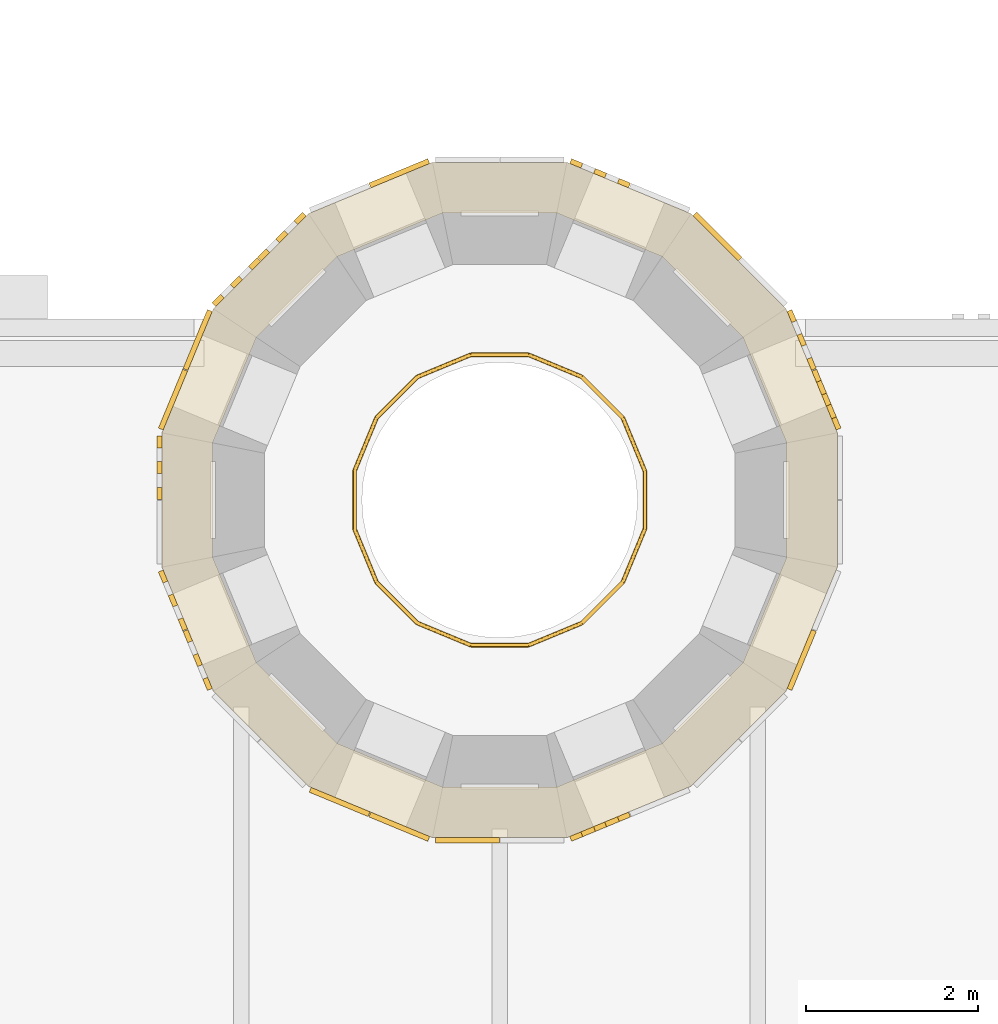
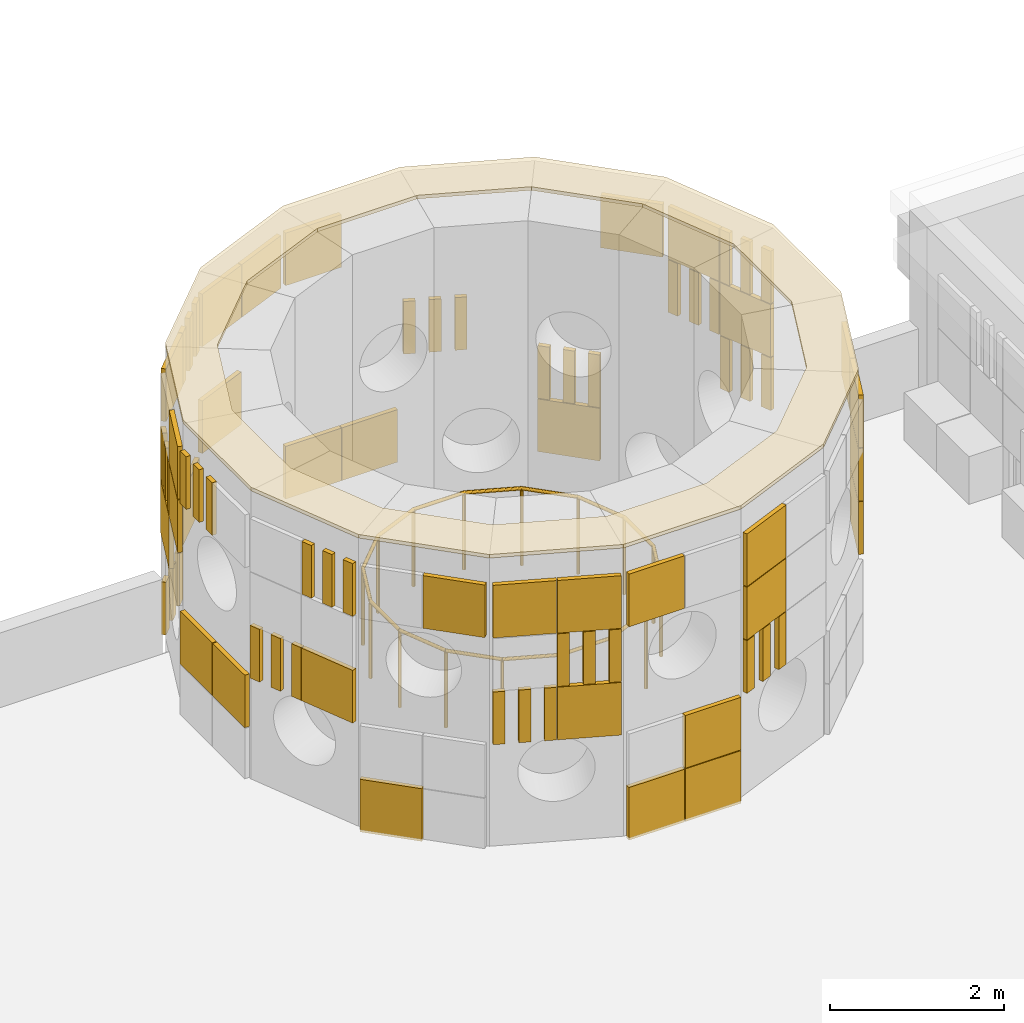
# One storey, part 70 of 98: 4 coverings, 1 railing.
"""IFC4 building model written with IfcOpenShell, lengths in metres."""

import ifcopenshell
import ifcopenshell.guid

model = None  # the IFC model being written
_history = None  # IfcOwnerHistory: only IFC2X3 demands one
_inside = {}  # id of a spatial element -> (the spatial element, [elements in it])
_under = {}  # id of a project, library or spatial element -> (it, [spatial elements below it])
_declared = {}  # id of a project -> (the project, [libraries it declares])
_typed = {}  # id of a type object -> (the type object, [elements of that type])
_made_of = {}  # id of a material, layer set ... -> (it, [elements and type objects made of it])


def new_model(schema):
    """Start an empty IFC model of exactly this schema.

    Asked for "IFC4X3", IfcOpenShell would pick the latest addendum, in which some entities
    have other attributes; the version numbers below select the first issue.
    IFC2X3 requires an IfcOwnerHistory on every rooted entity: one is made here for all.
    """
    global model, _history
    if schema == "IFC4X3":
        model = ifcopenshell.file(schema_version=(4, 3, 0, 0))
    else:
        model = ifcopenshell.file(schema=schema)
    _inside.clear()
    _under.clear()
    _declared.clear()
    _typed.clear()
    _made_of.clear()
    _history = None
    if model.schema == "IFC2X3":
        org = make("IfcOrganization", Name="unknown")
        user = make(
            "IfcPersonAndOrganization",
            ThePerson=make("IfcPerson", FamilyName="unknown"),
            TheOrganization=org,
        )
        app = make(
            "IfcApplication",
            ApplicationDeveloper=org,
            Version="unknown",
            ApplicationFullName="unknown",
            ApplicationIdentifier="unknown",
        )
        _history = make(
            "IfcOwnerHistory",
            OwningUser=user,
            OwningApplication=app,
            ChangeAction="ADDED",
            CreationDate=0,
        )
    return model


def make(cls, **values):
    """One entity of the class cls with the attributes given. An attribute that is None is left unset."""
    return model.create_entity(
        cls, **{name: value for name, value in values.items() if value is not None}
    )


def rooted(cls, **values):
    """An entity with a GlobalId (a new one), such as an element, a storey or a relation."""
    return make(cls, GlobalId=ifcopenshell.guid.new(), OwnerHistory=_history, **values)


def si_unit(unit_type, name, prefix=None):
    """IfcSIUnit, for example si_unit("LENGTHUNIT", "METRE", prefix="MILLI")."""
    return make("IfcSIUnit", UnitType=unit_type, Prefix=prefix, Name=name)


def assignment(units):
    """IfcUnitAssignment: the units of a project."""
    return None if units is None else make("IfcUnitAssignment", Units=units)


def point(xyz):
    """IfcCartesianPoint."""
    return None if xyz is None else make("IfcCartesianPoint", Coordinates=xyz)


def direction(xyz):
    """IfcDirection."""
    return None if xyz is None else make("IfcDirection", DirectionRatios=xyz)


def frame(location, z_axis=None, x_axis=None):
    """IfcAxis2Placement3D, a coordinate frame: its origin and axes. An axis left out is left unset."""
    return make(
        "IfcAxis2Placement3D",
        Location=point(location),
        Axis=direction(z_axis),
        RefDirection=direction(x_axis),
    )


def frame_2d(location, x_axis=None):
    """IfcAxis2Placement2D, a coordinate frame in the plane: its origin and x axis."""
    return make(
        "IfcAxis2Placement2D", Location=point(location), RefDirection=direction(x_axis)
    )


def origin():
    """The frame at (0, 0, 0) with its axes left unset."""
    return frame((0.0, 0.0, 0.0))


def origin_2d():
    """The frame at (0, 0) in the plane with its x axis left unset."""
    return frame_2d((0.0, 0.0))


def place(relative_to, where):
    """IfcLocalPlacement: puts the frame where relative to a parent placement (None: the world)."""
    return make(
        "IfcLocalPlacement", PlacementRelTo=relative_to, RelativePlacement=where
    )


def context(
    kind, dimensions, precision=None, world=None, true_north=None, identifier=None
):
    """IfcGeometricRepresentationContext, for example the 3D "Model" context."""
    return make(
        "IfcGeometricRepresentationContext",
        ContextIdentifier=identifier,
        ContextType=kind,
        CoordinateSpaceDimension=dimensions,
        Precision=precision,
        WorldCoordinateSystem=world,
        TrueNorth=true_north,
    )


def subcontext(parent, identifier, kind, view, scale=None):
    """IfcGeometricRepresentationSubContext, for example "Body" below "Model"."""
    return make(
        "IfcGeometricRepresentationSubContext",
        ContextIdentifier=identifier,
        ContextType=kind,
        ParentContext=parent,
        TargetScale=scale,
        TargetView=view,
    )


def project(units=None, contexts=None):
    """IfcProject with its units and contexts."""
    return rooted(
        "IfcProject",
        Name="project",
        RepresentationContexts=contexts,
        UnitsInContext=assignment(units),
    )


def spatial(cls, under=None, at=None, **own):
    """A site, building, storey or space (cls), placed at a placement, below another one or the project."""
    s = rooted(cls, ObjectPlacement=at, **own)
    if under is not None:
        _under.setdefault(under.id(), (under, []))[1].append(s)
    return s


def polyline(points):
    """IfcPolyline through the points."""
    return make("IfcPolyline", Points=[point(p) for p in points])


def profile(cls, at=None, kind="AREA", **sizes):
    """A parametric profile (cls). Its sizes go by their IFC names, for example OverallWidth=200.0."""
    return make(cls, ProfileType=kind, Position=at, **sizes)


def rectangle(**sizes):
    """IfcRectangleProfileDef."""
    return profile("IfcRectangleProfileDef", **sizes)


def circle(**sizes):
    """IfcCircleProfileDef."""
    return profile("IfcCircleProfileDef", **sizes)


def outline(outer, holes=None, kind="AREA"):
    """IfcArbitraryClosedProfileDef: a profile drawn as a closed curve; with holes, ...WithVoids."""
    if holes is None:
        return make("IfcArbitraryClosedProfileDef", ProfileType=kind, OuterCurve=outer)
    return make(
        "IfcArbitraryProfileDefWithVoids",
        ProfileType=kind,
        OuterCurve=outer,
        InnerCurves=holes,
    )


def extrude(swept, where, along, depth):
    """IfcExtrudedAreaSolid: the profile swept, set in the frame where, extruded along a direction by depth."""
    return make(
        "IfcExtrudedAreaSolid",
        SweptArea=swept,
        Position=where,
        ExtrudedDirection=direction(along),
        Depth=depth,
    )


def shape(context_of_items, identifier, shape_type, items):
    """IfcShapeRepresentation: the items that make up one representation, for example the "Body"."""
    return make(
        "IfcShapeRepresentation",
        ContextOfItems=context_of_items,
        RepresentationIdentifier=identifier,
        RepresentationType=shape_type,
        Items=items,
    )


def material(Name=None, Category=None):
    """IfcMaterial."""
    return make("IfcMaterial", Name=Name, Category=Category)


def layer(
    of_material, thickness, ventilated=None, Name=None, Category=None, Priority=None
):
    """IfcMaterialLayer: one layer of a wall or slab, of a material (None: an air gap)."""
    return make(
        "IfcMaterialLayer",
        Material=of_material,
        LayerThickness=thickness,
        IsVentilated=ventilated,
        Name=Name,
        Category=Category,
        Priority=Priority,
    )


def layer_set(layers, Name=None):
    """IfcMaterialLayerSet."""
    return make("IfcMaterialLayerSet", MaterialLayers=layers, LayerSetName=Name)


def made_of(thing, what):
    """Note that an element or type object is made of a material, layer set ...; save() writes the relation."""
    if what is not None:
        _made_of.setdefault(what.id(), (what, []))[1].append(thing)
    return thing


def type_object(cls, material=None, **own):
    """A type object (cls), such as IfcWallType, which elements share."""
    return made_of(rooted(cls, **own), material)


def element(
    cls,
    number,
    at=None,
    inside=None,
    cuts=None,
    type_object=None,
    material=None,
    context=None,
    identifier="Body",
    shape_type=None,
    held_by="IfcProductDefinitionShape",
    body=None,
    shapes=None,
    **own,
):
    """One element of the class cls, such as IfcWall. Its Tag is "e" and its number.

    at: its placement. inside: the storey or other place that contains it. cuts: it is an
    opening in that element (IfcRelVoidsElement). A single representation is given by context,
    identifier, shape_type and body (its items); several are given by shapes. held_by: the class
    of the entity that holds the representations. save() writes the other relations.
    """
    e = rooted(cls, Tag="e%d" % number, ObjectPlacement=at, **own)
    if body is not None:
        shapes = [shape(context, identifier, shape_type, body)]
    if shapes is not None:
        e.Representation = make(held_by, Representations=shapes)
    if inside is not None:
        _inside.setdefault(inside.id(), (inside, []))[1].append(e)
    if cuts is not None:
        rooted(
            "IfcRelVoidsElement", RelatingBuildingElement=cuts, RelatedOpeningElement=e
        )
    if type_object is not None:
        _typed.setdefault(type_object.id(), (type_object, []))[1].append(e)
    return made_of(e, material)


def aggregate(whole, parts):
    """IfcRelAggregates: a whole, such as a stair, and the parts it consists of."""
    return rooted("IfcRelAggregates", RelatingObject=whole, RelatedObjects=parts)


def save(model, path):
    """Write the relations noted so far, then the file.

    IfcRelAggregates (storeys below a building ...), IfcRelContainedInSpatialStructure (elements
    in a storey), IfcRelDefinesByType, IfcRelAssociatesMaterial and IfcRelDeclares: one each for
    every whole, place, type object, material and project.
    """
    for whole, parts in _under.values():
        aggregate(whole, parts)
    for where, things in _inside.values():
        rooted(
            "IfcRelContainedInSpatialStructure",
            RelatedElements=things,
            RelatingStructure=where,
        )
    for kind, things in _typed.values():
        rooted("IfcRelDefinesByType", RelatedObjects=things, RelatingType=kind)
    for what, things in _made_of.values():
        rooted("IfcRelAssociatesMaterial", RelatedObjects=things, RelatingMaterial=what)
    for by, libraries in _declared.values():
        rooted("IfcRelDeclares", RelatingContext=by, RelatedDefinitions=libraries)
    model.write(path)


model = new_model("IFC4")

# Units and contexts
model_context = context("Model", 3, precision=1e-05, world=origin(), true_north=direction((0.0, 1.0)))
body_context = subcontext(model_context, "Body", "Model", "MODEL_VIEW")
ifc_project = project(units=[si_unit("LENGTHUNIT", "METRE"), si_unit("AREAUNIT", "SQUARE_METRE"), si_unit("VOLUMEUNIT", "CUBIC_METRE"), si_unit("PLANEANGLEUNIT", "RADIAN"), si_unit("MASSUNIT", "GRAM", prefix="KILO")], contexts=[model_context])

# Site, building, storey
site_placement = place(None, origin())
site = spatial("IfcSite", under=ifc_project, at=site_placement, CompositionType="ELEMENT")
building_placement = place(site_placement, origin())
building = spatial("IfcBuilding", under=site, at=building_placement, Name="Sun Court Science Centre", CompositionType="ELEMENT")
storey_placement = place(building_placement, frame((0.0, 0.0, 15.75)))
storey = spatial("IfcBuildingStorey", under=building, at=storey_placement, Name="L03", CompositionType="ELEMENT", Elevation=15.75)

# Railing
ifc_material_1 = material(Name="Steel S275", Category="steel")
railing_type = type_object("IfcRailingType", Name="Guard 1100 well balustrade", PredefinedType="GUARDRAIL", material=ifc_material_1)
railing_placement = place(storey_placement, frame((19.68701171875, 26.235595703125, 0.110107421875)))
element("IfcRailing", 1, at=railing_placement, inside=storey, type_object=railing_type, Name="C2 well guard L03", PredefinedType="GUARDRAIL", context=body_context, shape_type="SweptSolid", body=[
    extrude(circle(Radius=0.02392578125, at=origin_2d()), frame((0.0, 0.0, 1.076171875), z_axis=(-0.382780256271, 0.923839420792, 0.0), x_axis=(-0.923839420792, -0.382780256271, 0.0)), (0.0, 0.0, 1.0), 0.6708984375),
    extrude(circle(Radius=0.02392578125, at=origin_2d()), frame((-0.2568359375, 0.619873046875, 1.076171875), z_axis=(-0.707106781187, 0.707106781187, 0.0), x_axis=(-0.707106781187, -0.707106781187, 0.0)), (0.0, 0.0, 1.0), 0.671142578125),
    extrude(circle(Radius=0.02392578125, at=origin_2d()), frame((-0.7314453125, 1.094482421875, 1.076171875), z_axis=(-0.923892706888, 0.382651625058, 0.0), x_axis=(-0.382651625058, -0.923892706888, 0.0)), (0.0, 0.0, 1.0), 0.671142578125),
    extrude(circle(Radius=0.02392578125, at=origin_2d()), frame((-1.3515625, 1.351318359375, 1.076171875), z_axis=(-1.0, 0.0, 0.0), x_axis=(0.0, -1.0, 0.0)), (0.0, 0.0, 1.0), 0.6708984375),
    extrude(circle(Radius=0.02392578125, at=origin_2d()), frame((-2.0224609375, 1.351318359375, 1.076171875), z_axis=(-0.923892706888, -0.382651625058, 0.0), x_axis=(0.382651625058, -0.923892706888, 0.0)), (0.0, 0.0, 1.0), 0.671142578125),
    extrude(circle(Radius=0.02392578125, at=origin_2d()), frame((-2.642578125, 1.094482421875, 1.076171875), z_axis=(-0.707106781187, -0.707106781187, 0.0), x_axis=(0.707106781187, -0.707106781187, 0.0)), (0.0, 0.0, 1.0), 0.671142578125),
    extrude(circle(Radius=0.02392578125, at=origin_2d()), frame((-3.1171875, 0.619873046875, 1.076171875), z_axis=(-0.382780256271, -0.923839420792, 0.0), x_axis=(0.923839420792, -0.382780256271, 0.0)), (0.0, 0.0, 1.0), 0.6708984375),
    extrude(circle(Radius=0.02392578125, at=origin_2d()), frame((-3.3740234375, 0.0, 1.076171875), z_axis=(0.0, -1.0, 0.0), x_axis=(1.0, 0.0, 0.0)), (0.0, 0.0, 1.0), 0.671142578125),
    extrude(circle(Radius=0.02392578125, at=origin_2d()), frame((-3.3740234375, -0.671142578125, 1.076171875), z_axis=(0.382651625058, -0.923892706888, 0.0), x_axis=(0.923892706888, 0.382651625058, 0.0)), (0.0, 0.0, 1.0), 0.671142578125),
    extrude(circle(Radius=0.02392578125, at=origin_2d()), frame((-3.1171875, -1.291259765625, 1.076171875), z_axis=(0.707288673597, -0.706924841975, 0.0), x_axis=(0.706924841975, 0.707288673597, 0.0)), (0.0, 0.0, 1.0), 0.671142578125),
    extrude(circle(Radius=0.02392578125, at=origin_2d()), frame((-2.642578125, -1.765625, 1.076171875), z_axis=(0.923892706888, -0.382651625058, 0.0), x_axis=(0.382651625058, 0.923892706888, 0.0)), (0.0, 0.0, 1.0), 0.671142578125),
    extrude(circle(Radius=0.02392578125, at=origin_2d()), frame((-2.0224609375, -2.0224609375, 1.076171875), z_axis=(1.0, 0.0, 0.0), x_axis=(0.0, 1.0, 0.0)), (0.0, 0.0, 1.0), 0.6708984375),
    extrude(circle(Radius=0.02392578125, at=origin_2d()), frame((-1.3515625, -2.0224609375, 1.076171875), z_axis=(0.923892706888, 0.382651625058, 0.0), x_axis=(-0.382651625058, 0.923892706888, 0.0)), (0.0, 0.0, 1.0), 0.671142578125),
    extrude(circle(Radius=0.02392578125, at=origin_2d()), frame((-0.7314453125, -1.765625, 1.076171875), z_axis=(0.707288673597, 0.706924841975, 0.0), x_axis=(-0.706924841975, 0.707288673597, 0.0)), (0.0, 0.0, 1.0), 0.671142578125),
    extrude(circle(Radius=0.02392578125, at=origin_2d()), frame((-0.2568359375, -1.291259765625, 1.076171875), z_axis=(0.382651625058, 0.923892706888, 0.0), x_axis=(-0.923892706888, 0.382651625058, 0.0)), (0.0, 0.0, 1.0), 0.671142578125),
    extrude(circle(Radius=0.02392578125, at=origin_2d()), frame((0.0, -0.671142578125, 1.076171875), z_axis=(0.0, 1.0, 0.0), x_axis=(-1.0, 0.0, 0.0)), (0.0, 0.0, 1.0), 0.671142578125),
    extrude(circle(Radius=0.02099609375, at=origin_2d()), origin(), (0.0, 0.0, 1.0), 1.052001953125),
    extrude(circle(Radius=0.02099609375, at=origin_2d()), frame((-0.2568359375, 0.619873046875, 0.0)), (0.0, 0.0, 1.0), 1.052001953125),
    extrude(circle(Radius=0.02099609375, at=origin_2d()), frame((-0.7314453125, 1.094482421875, 0.0)), (0.0, 0.0, 1.0), 1.052001953125),
    extrude(circle(Radius=0.02099609375, at=origin_2d()), frame((-1.3515625, 1.351318359375, 0.0)), (0.0, 0.0, 1.0), 1.052001953125),
    extrude(circle(Radius=0.02099609375, at=origin_2d()), frame((-2.0224609375, 1.351318359375, 0.0)), (0.0, 0.0, 1.0), 1.052001953125),
    extrude(circle(Radius=0.02099609375, at=origin_2d()), frame((-2.642578125, 1.094482421875, 0.0)), (0.0, 0.0, 1.0), 1.052001953125),
    extrude(circle(Radius=0.02099609375, at=origin_2d()), frame((-3.1171875, 0.619873046875, 0.0)), (0.0, 0.0, 1.0), 1.052001953125),
    extrude(circle(Radius=0.02099609375, at=origin_2d()), frame((-3.3740234375, 0.0, 0.0)), (0.0, 0.0, 1.0), 1.052001953125),
    extrude(circle(Radius=0.02099609375, at=origin_2d()), frame((-3.3740234375, -0.671142578125, 0.0)), (0.0, 0.0, 1.0), 1.052001953125),
    extrude(circle(Radius=0.02099609375, at=origin_2d()), frame((-3.1171875, -1.291259765625, 0.0)), (0.0, 0.0, 1.0), 1.052001953125),
    extrude(circle(Radius=0.02099609375, at=origin_2d()), frame((-2.642578125, -1.765625, 0.0)), (0.0, 0.0, 1.0), 1.052001953125),
    extrude(circle(Radius=0.02099609375, at=origin_2d()), frame((-2.0224609375, -2.0224609375, 0.0)), (0.0, 0.0, 1.0), 1.052001953125),
    extrude(circle(Radius=0.02099609375, at=origin_2d()), frame((-1.3515625, -2.0224609375, 0.0)), (0.0, 0.0, 1.0), 1.052001953125),
    extrude(circle(Radius=0.02099609375, at=origin_2d()), frame((-0.7314453125, -1.765625, 0.0)), (0.0, 0.0, 1.0), 1.052001953125),
    extrude(circle(Radius=0.02099609375, at=origin_2d()), frame((-0.2568359375, -1.291259765625, 0.0)), (0.0, 0.0, 1.0), 1.052001953125),
    extrude(circle(Radius=0.02099609375, at=origin_2d()), frame((0.0, -0.671142578125, 0.0)), (0.0, 0.0, 1.0), 1.052001953125),
])

# Coverings
ifc_material_2 = material(Name="Red sandstone", Category="masonry")
ifc_layer_1 = layer(ifc_material_2, 0.050048828125)
ifc_layer_set_1 = layer_set([ifc_layer_1], Name="Red sandstone")
covering_type_1 = type_object("IfcCoveringType", Name="Red sandstone coping 50", PredefinedType="CLADDING", material=ifc_layer_set_1)
covering_1_placement = place(storey_placement, frame((0.0, 0.0, 4.199951171875)))
element("IfcCovering", 2, at=covering_1_placement, inside=storey, type_object=covering_type_1, Name="Sandstone coping of drum ledge cone 2 4", PredefinedType="CLADDING", context=body_context, shape_type="SweptSolid", body=[
    extrude(outline(polyline([(21.923095703125, 26.680419921875), (21.325927734375, 28.122314453125), (20.22216796875, 29.225830078125), (18.7802734375, 29.8232421875), (17.2197265625, 29.8232421875), (15.77783203125, 29.225830078125), (14.674072265625, 28.122314453125), (14.076904296875, 26.680419921875), (14.076904296875, 25.11962890625), (14.674072265625, 23.677734375), (15.77783203125, 22.57421875), (17.2197265625, 21.976806640625), (18.7802734375, 21.976806640625), (20.22216796875, 22.57421875), (21.325927734375, 23.677734375), (21.923095703125, 25.11962890625), (21.923095703125, 26.680419921875)]), holes=[polyline([(21.334716796875, 26.563232421875), (20.826904296875, 27.788818359375), (19.888916015625, 28.72705078125), (18.663330078125, 29.234619140625), (17.336669921875, 29.234619140625), (16.111083984375, 28.72705078125), (15.173095703125, 27.788818359375), (14.665283203125, 26.563232421875), (14.665283203125, 25.236572265625), (15.173095703125, 24.010986328125), (16.111083984375, 23.072998046875), (17.336669921875, 22.5654296875), (18.663330078125, 22.5654296875), (19.888916015625, 23.072998046875), (20.826904296875, 24.010986328125), (21.334716796875, 25.236572265625), (21.334716796875, 26.563232421875)])]), origin(), (0.0, 0.0, 1.0), 0.050048828125),
])
ifc_material_3 = material(Name="Terracotta jali", Category="masonry")
ifc_layer_2 = layer(ifc_material_3, 0.06005859375)
ifc_layer_set_2 = layer_set([ifc_layer_2], Name="Terracotta jali")
covering_type_2 = type_object("IfcCoveringType", Name="Terracotta open jali panel", PredefinedType="CLADDING", material=ifc_layer_set_2)
covering_2_placement = place(storey_placement, frame((0.0, 0.0, -15.75)))
element("IfcCovering", 3, at=covering_2_placement, inside=storey, type_object=covering_type_2, Name="Open jali pixel cladding cone 2 L03", PredefinedType="CLADDING", context=body_context, shape_type="SweptSolid", body=[
    extrude(rectangle(XDim=0.139892578125, YDim=0.06005859375, at=origin_2d()), frame((21.680908203125, 27.343505859375, 17.365234375), z_axis=(0.0, 0.0, 1.0), x_axis=(0.382683432365, -0.923879532511, 0.0)), (0.0, 0.0, 1.0), 0.739990234375),
    extrude(rectangle(XDim=0.139892578125, YDim=0.06005859375, at=origin_2d()), frame((21.795654296875, 27.06640625, 17.365234375), z_axis=(0.0, 0.0, 1.0), x_axis=(0.382683432365, -0.923879532511, 0.0)), (0.0, 0.0, 1.0), 0.739990234375),
    extrude(rectangle(XDim=0.139892578125, YDim=0.06005859375, at=origin_2d()), frame((21.91064453125, 26.7890625, 17.365234375), z_axis=(0.0, 0.0, 1.0), x_axis=(0.382683432365, -0.923879532511, 0.0)), (0.0, 0.0, 1.0), 0.739990234375),
    extrude(rectangle(XDim=0.139892578125, YDim=0.06005859375, at=origin_2d()), frame((21.393798828125, 28.036376953125, 18.115234375), z_axis=(0.0, 0.0, 1.0), x_axis=(0.382683432365, -0.923879532511, 0.0)), (0.0, 0.0, 1.0), 0.739990234375),
    extrude(rectangle(XDim=0.139892578125, YDim=0.06005859375, at=origin_2d()), frame((21.5087890625, 27.75927734375, 18.115234375), z_axis=(0.0, 0.0, 1.0), x_axis=(0.382683432365, -0.923879532511, 0.0)), (0.0, 0.0, 1.0), 0.739990234375),
    extrude(rectangle(XDim=0.139892578125, YDim=0.06005859375, at=origin_2d()), frame((21.62353515625, 27.482177734375, 18.115234375), z_axis=(0.0, 0.0, 1.0), x_axis=(0.382683432365, -0.923879532511, 0.0)), (0.0, 0.0, 1.0), 0.739990234375),
    extrude(rectangle(XDim=0.139892578125, YDim=0.06005859375, at=origin_2d()), frame((21.680908203125, 27.343505859375, 18.865234375), z_axis=(0.0, 0.0, 1.0), x_axis=(0.382683432365, -0.923879532511, 0.0)), (0.0, 0.0, 1.0), 0.739990234375),
    extrude(rectangle(XDim=0.139892578125, YDim=0.06005859375, at=origin_2d()), frame((21.795654296875, 27.06640625, 18.865234375), z_axis=(0.0, 0.0, 1.0), x_axis=(0.382683432365, -0.923879532511, 0.0)), (0.0, 0.0, 1.0), 0.739990234375),
    extrude(rectangle(XDim=0.139892578125, YDim=0.06005859375, at=origin_2d()), frame((21.91064453125, 26.7890625, 18.865234375), z_axis=(0.0, 0.0, 1.0), x_axis=(0.382683432365, -0.923879532511, 0.0)), (0.0, 0.0, 1.0), 0.739990234375),
    extrude(rectangle(XDim=0.139892578125, YDim=0.06005859375, at=origin_2d()), frame((20.318115234375, 29.172607421875, 16.615234375), z_axis=(0.0, 0.0, 1.0), x_axis=(0.707106781187, -0.707106781187, 0.0)), (0.0, 0.0, 1.0), 0.739990234375),
    extrude(rectangle(XDim=0.139892578125, YDim=0.06005859375, at=origin_2d()), frame((20.530029296875, 28.96044921875, 16.615234375), z_axis=(0.0, 0.0, 1.0), x_axis=(0.707106781187, -0.707106781187, 0.0)), (0.0, 0.0, 1.0), 0.739990234375),
    extrude(rectangle(XDim=0.139892578125, YDim=0.06005859375, at=origin_2d()), frame((20.7421875, 28.748291015625, 16.615234375), z_axis=(0.0, 0.0, 1.0), x_axis=(0.707106781187, -0.707106781187, 0.0)), (0.0, 0.0, 1.0), 0.739990234375),
    extrude(rectangle(XDim=0.139892578125, YDim=0.06005859375, at=origin_2d()), frame((18.88916015625, 29.810546875, 17.365234375), z_axis=(0.0, 0.0, 1.0), x_axis=(0.923879532511, -0.382683432365, 0.0)), (0.0, 0.0, 1.0), 0.739990234375),
    extrude(rectangle(XDim=0.139892578125, YDim=0.06005859375, at=origin_2d()), frame((19.166259765625, 29.69580078125, 17.365234375), z_axis=(0.0, 0.0, 1.0), x_axis=(0.923879532511, -0.382683432365, 0.0)), (0.0, 0.0, 1.0), 0.739990234375),
    extrude(rectangle(XDim=0.139892578125, YDim=0.06005859375, at=origin_2d()), frame((19.443603515625, 29.580810546875, 17.365234375), z_axis=(0.0, 0.0, 1.0), x_axis=(0.923879532511, -0.382683432365, 0.0)), (0.0, 0.0, 1.0), 0.739990234375),
    extrude(rectangle(XDim=0.139892578125, YDim=0.06005859375, at=origin_2d()), frame((14.727294921875, 28.218017578125, 15.865234375), z_axis=(0.0, 0.0, 1.0), x_axis=(0.707106781187, 0.707106781187, 0.0)), (0.0, 0.0, 1.0), 0.739990234375),
    extrude(rectangle(XDim=0.139892578125, YDim=0.06005859375, at=origin_2d()), frame((14.939453125, 28.43017578125, 15.865234375), z_axis=(0.0, 0.0, 1.0), x_axis=(0.707106781187, 0.707106781187, 0.0)), (0.0, 0.0, 1.0), 0.739990234375),
    extrude(rectangle(XDim=0.139892578125, YDim=0.06005859375, at=origin_2d()), frame((15.151611328125, 28.642333984375, 15.865234375), z_axis=(0.0, 0.0, 1.0), x_axis=(0.707106781187, 0.707106781187, 0.0)), (0.0, 0.0, 1.0), 0.739990234375),
    extrude(rectangle(XDim=0.139892578125, YDim=0.06005859375, at=origin_2d()), frame((15.2578125, 28.748291015625, 18.865234375), z_axis=(0.0, 0.0, 1.0), x_axis=(0.707106781187, 0.707106781187, 0.0)), (0.0, 0.0, 1.0), 0.739990234375),
    extrude(rectangle(XDim=0.139892578125, YDim=0.06005859375, at=origin_2d()), frame((15.469970703125, 28.96044921875, 18.865234375), z_axis=(0.0, 0.0, 1.0), x_axis=(0.707106781187, 0.707106781187, 0.0)), (0.0, 0.0, 1.0), 0.739990234375),
    extrude(rectangle(XDim=0.139892578125, YDim=0.06005859375, at=origin_2d()), frame((15.681884765625, 29.172607421875, 18.865234375), z_axis=(0.0, 0.0, 1.0), x_axis=(0.707106781187, 0.707106781187, 0.0)), (0.0, 0.0, 1.0), 0.739990234375),
    extrude(rectangle(XDim=0.139892578125, YDim=0.06005859375, at=origin_2d()), frame((14.37646484375, 27.482177734375, 18.115234375), z_axis=(0.0, 0.0, 1.0), x_axis=(0.382683432365, 0.923879532511, 0.0)), (0.0, 0.0, 1.0), 0.739990234375),
    extrude(rectangle(XDim=0.139892578125, YDim=0.06005859375, at=origin_2d()), frame((14.4912109375, 27.75927734375, 18.115234375), z_axis=(0.0, 0.0, 1.0), x_axis=(0.382683432365, 0.923879532511, 0.0)), (0.0, 0.0, 1.0), 0.739990234375),
    extrude(rectangle(XDim=0.139892578125, YDim=0.06005859375, at=origin_2d()), frame((14.606201171875, 28.036376953125, 18.115234375), z_axis=(0.0, 0.0, 1.0), x_axis=(0.382683432365, 0.923879532511, 0.0)), (0.0, 0.0, 1.0), 0.739990234375),
    extrude(rectangle(XDim=0.139892578125, YDim=0.06005859375, at=origin_2d()), frame((14.046875, 25.97509765625, 18.865234375), z_axis=(0.0, 0.0, 1.0), x_axis=(0.0, 1.0, 0.0)), (0.0, 0.0, 1.0), 0.739990234375),
    extrude(rectangle(XDim=0.139892578125, YDim=0.06005859375, at=origin_2d()), frame((14.046875, 26.27490234375, 18.865234375), z_axis=(0.0, 0.0, 1.0), x_axis=(0.0, 1.0, 0.0)), (0.0, 0.0, 1.0), 0.739990234375),
    extrude(rectangle(XDim=0.139892578125, YDim=0.06005859375, at=origin_2d()), frame((14.046875, 26.574951171875, 18.865234375), z_axis=(0.0, 0.0, 1.0), x_axis=(0.0, 1.0, 0.0)), (0.0, 0.0, 1.0), 0.739990234375),
    extrude(rectangle(XDim=0.139892578125, YDim=0.06005859375, at=origin_2d()), frame((14.319091796875, 24.45654296875, 17.365234375), z_axis=(0.0, 0.0, 1.0), x_axis=(-0.382683432365, 0.923879532511, 0.0)), (0.0, 0.0, 1.0), 0.739990234375),
    extrude(rectangle(XDim=0.139892578125, YDim=0.06005859375, at=origin_2d()), frame((14.204345703125, 24.733642578125, 17.365234375), z_axis=(0.0, 0.0, 1.0), x_axis=(-0.382683432365, 0.923879532511, 0.0)), (0.0, 0.0, 1.0), 0.739990234375),
    extrude(rectangle(XDim=0.139892578125, YDim=0.06005859375, at=origin_2d()), frame((14.08935546875, 25.0107421875, 17.365234375), z_axis=(0.0, 0.0, 1.0), x_axis=(-0.382683432365, 0.923879532511, 0.0)), (0.0, 0.0, 1.0), 0.739990234375),
    extrude(rectangle(XDim=0.139892578125, YDim=0.06005859375, at=origin_2d()), frame((14.606201171875, 23.763671875, 18.865234375), z_axis=(0.0, 0.0, 1.0), x_axis=(-0.382683432365, 0.923879532511, 0.0)), (0.0, 0.0, 1.0), 0.739990234375),
    extrude(rectangle(XDim=0.139892578125, YDim=0.06005859375, at=origin_2d()), frame((14.4912109375, 24.040771484375, 18.865234375), z_axis=(0.0, 0.0, 1.0), x_axis=(-0.382683432365, 0.923879532511, 0.0)), (0.0, 0.0, 1.0), 0.739990234375),
    extrude(rectangle(XDim=0.139892578125, YDim=0.06005859375, at=origin_2d()), frame((14.37646484375, 24.31787109375, 18.865234375), z_axis=(0.0, 0.0, 1.0), x_axis=(-0.382683432365, 0.923879532511, 0.0)), (0.0, 0.0, 1.0), 0.739990234375),
    extrude(rectangle(XDim=0.139892578125, YDim=0.06005859375, at=origin_2d()), frame((16.41796875, 22.2763671875, 17.365234375), z_axis=(0.0, 0.0, 1.0), x_axis=(-0.923879532511, 0.382683432365, 0.0)), (0.0, 0.0, 1.0), 0.739990234375),
    extrude(rectangle(XDim=0.139892578125, YDim=0.06005859375, at=origin_2d()), frame((16.140625, 22.391357421875, 17.365234375), z_axis=(0.0, 0.0, 1.0), x_axis=(-0.923879532511, 0.382683432365, 0.0)), (0.0, 0.0, 1.0), 0.739990234375),
    extrude(rectangle(XDim=0.139892578125, YDim=0.06005859375, at=origin_2d()), frame((15.863525390625, 22.506103515625, 17.365234375), z_axis=(0.0, 0.0, 1.0), x_axis=(-0.923879532511, 0.382683432365, 0.0)), (0.0, 0.0, 1.0), 0.739990234375),
    extrude(rectangle(XDim=0.139892578125, YDim=0.06005859375, at=origin_2d()), frame((17.11083984375, 21.989501953125, 18.115234375), z_axis=(0.0, 0.0, 1.0), x_axis=(-0.923879532511, 0.382683432365, 0.0)), (0.0, 0.0, 1.0), 0.739990234375),
    extrude(rectangle(XDim=0.139892578125, YDim=0.06005859375, at=origin_2d()), frame((16.833740234375, 22.104248046875, 18.115234375), z_axis=(0.0, 0.0, 1.0), x_axis=(-0.923879532511, 0.382683432365, 0.0)), (0.0, 0.0, 1.0), 0.739990234375),
    extrude(rectangle(XDim=0.139892578125, YDim=0.06005859375, at=origin_2d()), frame((16.556396484375, 22.218994140625, 18.115234375), z_axis=(0.0, 0.0, 1.0), x_axis=(-0.923879532511, 0.382683432365, 0.0)), (0.0, 0.0, 1.0), 0.739990234375),
    extrude(rectangle(XDim=0.139892578125, YDim=0.06005859375, at=origin_2d()), frame((19.443603515625, 22.218994140625, 17.365234375), z_axis=(0.0, 0.0, 1.0), x_axis=(-0.923879532511, -0.382683432365, 0.0)), (0.0, 0.0, 1.0), 0.739990234375),
    extrude(rectangle(XDim=0.139892578125, YDim=0.06005859375, at=origin_2d()), frame((19.166259765625, 22.104248046875, 17.365234375), z_axis=(0.0, 0.0, 1.0), x_axis=(-0.923879532511, -0.382683432365, 0.0)), (0.0, 0.0, 1.0), 0.739990234375),
    extrude(rectangle(XDim=0.139892578125, YDim=0.06005859375, at=origin_2d()), frame((18.88916015625, 21.989501953125, 17.365234375), z_axis=(0.0, 0.0, 1.0), x_axis=(-0.923879532511, -0.382683432365, 0.0)), (0.0, 0.0, 1.0), 0.739990234375),
    extrude(rectangle(XDim=0.739990234375, YDim=0.06005859375, at=origin_2d()), frame((16.833740234375, 22.104248046875, 17.365234375), z_axis=(0.0, 0.0, 1.0), x_axis=(-0.923879532511, 0.382683432365, 0.0)), (0.0, 0.0, 1.0), 0.739990234375),
    extrude(rectangle(XDim=0.739990234375, YDim=0.06005859375, at=origin_2d()), frame((16.833740234375, 22.104248046875, 18.865234375), z_axis=(0.0, 0.0, 1.0), x_axis=(-0.923879532511, 0.382683432365, 0.0)), (0.0, 0.0, 1.0), 0.739990234375),
])
ifc_material_4 = material(Name="Terracotta shade 1", Category="masonry")
ifc_layer_3 = layer(ifc_material_4, 0.06005859375)
ifc_layer_set_3 = layer_set([ifc_layer_3], Name="Terracotta shade 1")
covering_type_3 = type_object("IfcCoveringType", Name="Terracotta pixel panel shade 1", PredefinedType="CLADDING", material=ifc_layer_set_3)
covering_3_placement = place(storey_placement, frame((0.0, 0.0, -15.75)))
element("IfcCovering", 4, at=covering_3_placement, inside=storey, type_object=covering_type_3, Name="Terracotta pixel cladding shade 1 cone 2 L03", PredefinedType="CLADDING", context=body_context, shape_type="SweptSolid", body=[
    extrude(rectangle(XDim=0.739990234375, YDim=0.06005859375, at=origin_2d()), frame((21.5087890625, 27.75927734375, 18.865234375), z_axis=(0.0, 0.0, 1.0), x_axis=(0.382683432365, -0.923879532511, 0.0)), (0.0, 0.0, 1.0), 0.739990234375),
    extrude(rectangle(XDim=0.739990234375, YDim=0.06005859375, at=origin_2d()), frame((21.060546875, 28.43017578125, 18.865234375), z_axis=(0.0, 0.0, 1.0), x_axis=(0.707106781187, -0.707106781187, 0.0)), (0.0, 0.0, 1.0), 0.739990234375),
    extrude(rectangle(XDim=0.739990234375, YDim=0.06005859375, at=origin_2d()), frame((17.625, 29.85302734375, 15.865234375), z_axis=(0.0, 0.0, 1.0), x_axis=(1.0, 0.0, 0.0)), (0.0, 0.0, 1.0), 0.739990234375),
    extrude(rectangle(XDim=0.739990234375, YDim=0.06005859375, at=origin_2d()), frame((18.375, 29.85302734375, 15.865234375), z_axis=(0.0, 0.0, 1.0), x_axis=(1.0, 0.0, 0.0)), (0.0, 0.0, 1.0), 0.739990234375),
    extrude(rectangle(XDim=0.739990234375, YDim=0.06005859375, at=origin_2d()), frame((17.625, 29.85302734375, 18.865234375), z_axis=(0.0, 0.0, 1.0), x_axis=(1.0, 0.0, 0.0)), (0.0, 0.0, 1.0), 0.739990234375),
    extrude(rectangle(XDim=0.739990234375, YDim=0.06005859375, at=origin_2d()), frame((16.140625, 29.40869140625, 17.365234375), z_axis=(0.0, 0.0, 1.0), x_axis=(0.923879532511, 0.382683432365, 0.0)), (0.0, 0.0, 1.0), 0.739990234375),
    extrude(rectangle(XDim=0.739990234375, YDim=0.06005859375, at=origin_2d()), frame((16.140625, 29.40869140625, 18.865234375), z_axis=(0.0, 0.0, 1.0), x_axis=(0.923879532511, 0.382683432365, 0.0)), (0.0, 0.0, 1.0), 0.739990234375),
    extrude(rectangle(XDim=0.739990234375, YDim=0.06005859375, at=origin_2d()), frame((15.469970703125, 28.96044921875, 16.615234375), z_axis=(0.0, 0.0, 1.0), x_axis=(0.707106781187, 0.707106781187, 0.0)), (0.0, 0.0, 1.0), 0.739990234375),
    extrude(rectangle(XDim=0.739990234375, YDim=0.06005859375, at=origin_2d()), frame((14.939453125, 28.43017578125, 18.865234375), z_axis=(0.0, 0.0, 1.0), x_axis=(0.707106781187, 0.707106781187, 0.0)), (0.0, 0.0, 1.0), 0.739990234375),
    extrude(rectangle(XDim=0.739990234375, YDim=0.06005859375, at=origin_2d()), frame((14.204345703125, 27.06640625, 18.865234375), z_axis=(0.0, 0.0, 1.0), x_axis=(0.382683432365, 0.923879532511, 0.0)), (0.0, 0.0, 1.0), 0.739990234375),
    extrude(rectangle(XDim=0.739990234375, YDim=0.06005859375, at=origin_2d()), frame((14.046875, 25.52490234375, 16.615234375), z_axis=(0.0, 0.0, 1.0), x_axis=(0.0, 1.0, 0.0)), (0.0, 0.0, 1.0), 0.739990234375),
    extrude(rectangle(XDim=0.739990234375, YDim=0.06005859375, at=origin_2d()), frame((14.046875, 26.27490234375, 16.615234375), z_axis=(0.0, 0.0, 1.0), x_axis=(0.0, 1.0, 0.0)), (0.0, 0.0, 1.0), 0.739990234375),
    extrude(rectangle(XDim=0.739990234375, YDim=0.06005859375, at=origin_2d()), frame((14.4912109375, 24.040771484375, 17.365234375), z_axis=(0.0, 0.0, 1.0), x_axis=(-0.382683432365, 0.923879532511, 0.0)), (0.0, 0.0, 1.0), 0.739990234375),
    extrude(rectangle(XDim=0.739990234375, YDim=0.06005859375, at=origin_2d()), frame((14.939453125, 23.369873046875, 15.865234375), z_axis=(0.0, 0.0, 1.0), x_axis=(-0.707106781187, 0.707106781187, 0.0)), (0.0, 0.0, 1.0), 0.739990234375),
    extrude(rectangle(XDim=0.739990234375, YDim=0.06005859375, at=origin_2d()), frame((15.469970703125, 22.839599609375, 18.865234375), z_axis=(0.0, 0.0, 1.0), x_axis=(-0.707106781187, 0.707106781187, 0.0)), (0.0, 0.0, 1.0), 0.739990234375),
    extrude(rectangle(XDim=0.739990234375, YDim=0.06005859375, at=origin_2d()), frame((18.375, 21.94677734375, 15.865234375), z_axis=(0.0, 0.0, 1.0), x_axis=(-1.0, 0.0, 0.0)), (0.0, 0.0, 1.0), 0.739990234375),
    extrude(rectangle(XDim=0.739990234375, YDim=0.06005859375, at=origin_2d()), frame((18.375, 21.94677734375, 16.615234375), z_axis=(0.0, 0.0, 1.0), x_axis=(-1.0, 0.0, 0.0)), (0.0, 0.0, 1.0), 0.739990234375),
    extrude(rectangle(XDim=0.739990234375, YDim=0.06005859375, at=origin_2d()), frame((17.625, 21.94677734375, 18.865234375), z_axis=(0.0, 0.0, 1.0), x_axis=(-1.0, 0.0, 0.0)), (0.0, 0.0, 1.0), 0.739990234375),
    extrude(rectangle(XDim=0.739990234375, YDim=0.06005859375, at=origin_2d()), frame((19.166259765625, 22.104248046875, 18.115234375), z_axis=(0.0, 0.0, 1.0), x_axis=(-0.923879532511, -0.382683432365, 0.0)), (0.0, 0.0, 1.0), 0.739990234375),
    extrude(rectangle(XDim=0.739990234375, YDim=0.06005859375, at=origin_2d()), frame((19.166259765625, 22.104248046875, 18.865234375), z_axis=(0.0, 0.0, 1.0), x_axis=(-0.923879532511, -0.382683432365, 0.0)), (0.0, 0.0, 1.0), 0.739990234375),
    extrude(rectangle(XDim=0.739990234375, YDim=0.06005859375, at=origin_2d()), frame((21.5087890625, 24.040771484375, 17.365234375), z_axis=(0.0, 0.0, 1.0), x_axis=(-0.382683432365, -0.923879532511, 0.0)), (0.0, 0.0, 1.0), 0.739990234375),
    extrude(rectangle(XDim=0.739990234375, YDim=0.06005859375, at=origin_2d()), frame((21.5087890625, 24.040771484375, 18.115234375), z_axis=(0.0, 0.0, 1.0), x_axis=(-0.382683432365, -0.923879532511, 0.0)), (0.0, 0.0, 1.0), 0.739990234375),
    extrude(rectangle(XDim=0.739990234375, YDim=0.06005859375, at=origin_2d()), frame((21.795654296875, 24.733642578125, 18.865234375), z_axis=(0.0, 0.0, 1.0), x_axis=(-0.382683432365, -0.923879532511, 0.0)), (0.0, 0.0, 1.0), 0.739990234375),
    extrude(rectangle(XDim=0.739990234375, YDim=0.06005859375, at=origin_2d()), frame((21.5087890625, 24.040771484375, 18.865234375), z_axis=(0.0, 0.0, 1.0), x_axis=(-0.382683432365, -0.923879532511, 0.0)), (0.0, 0.0, 1.0), 0.739990234375),
    extrude(rectangle(XDim=0.739990234375, YDim=0.06005859375, at=origin_2d()), frame((21.795654296875, 27.06640625, 18.115234375), z_axis=(0.0, 0.0, 1.0), x_axis=(0.382683432365, -0.923879532511, 0.0)), (0.0, 0.0, 1.0), 0.739990234375),
])
ifc_material_5 = material(Name="Terracotta shade 5", Category="masonry")
ifc_layer_4 = layer(ifc_material_5, 0.06005859375)
ifc_layer_set_4 = layer_set([ifc_layer_4], Name="Terracotta shade 5")
covering_type_4 = type_object("IfcCoveringType", Name="Terracotta pixel panel shade 5", PredefinedType="CLADDING", material=ifc_layer_set_4)
covering_4_placement = place(storey_placement, frame((0.0, 0.0, -15.75)))
element("IfcCovering", 5, at=covering_4_placement, inside=storey, type_object=covering_type_4, Name="Terracotta pixel cladding shade 5 cone 2 L03", PredefinedType="CLADDING", context=body_context, shape_type="SweptSolid", body=[
    extrude(rectangle(XDim=0.739990234375, YDim=0.06005859375, at=origin_2d()), frame((20.530029296875, 28.96044921875, 15.865234375), z_axis=(0.0, 0.0, 1.0), x_axis=(0.707106781187, -0.707106781187, 0.0)), (0.0, 0.0, 1.0), 0.739990234375),
    extrude(rectangle(XDim=0.739990234375, YDim=0.06005859375, at=origin_2d()), frame((16.833740234375, 29.69580078125, 18.865234375), z_axis=(0.0, 0.0, 1.0), x_axis=(0.923879532511, 0.382683432365, 0.0)), (0.0, 0.0, 1.0), 0.739990234375),
    extrude(rectangle(XDim=0.739990234375, YDim=0.06005859375, at=origin_2d()), frame((14.4912109375, 27.75927734375, 17.365234375), z_axis=(0.0, 0.0, 1.0), x_axis=(0.382683432365, 0.923879532511, 0.0)), (0.0, 0.0, 1.0), 0.739990234375),
    extrude(rectangle(XDim=0.739990234375, YDim=0.06005859375, at=origin_2d()), frame((14.204345703125, 27.06640625, 18.115234375), z_axis=(0.0, 0.0, 1.0), x_axis=(0.382683432365, 0.923879532511, 0.0)), (0.0, 0.0, 1.0), 0.739990234375),
    extrude(rectangle(XDim=0.739990234375, YDim=0.06005859375, at=origin_2d()), frame((16.140625, 22.391357421875, 18.865234375), z_axis=(0.0, 0.0, 1.0), x_axis=(-0.923879532511, 0.382683432365, 0.0)), (0.0, 0.0, 1.0), 0.739990234375),
    extrude(rectangle(XDim=0.739990234375, YDim=0.06005859375, at=origin_2d()), frame((17.625, 21.94677734375, 15.865234375), z_axis=(0.0, 0.0, 1.0), x_axis=(-1.0, 0.0, 0.0)), (0.0, 0.0, 1.0), 0.739990234375),
])

save(model, "model.ifc")
